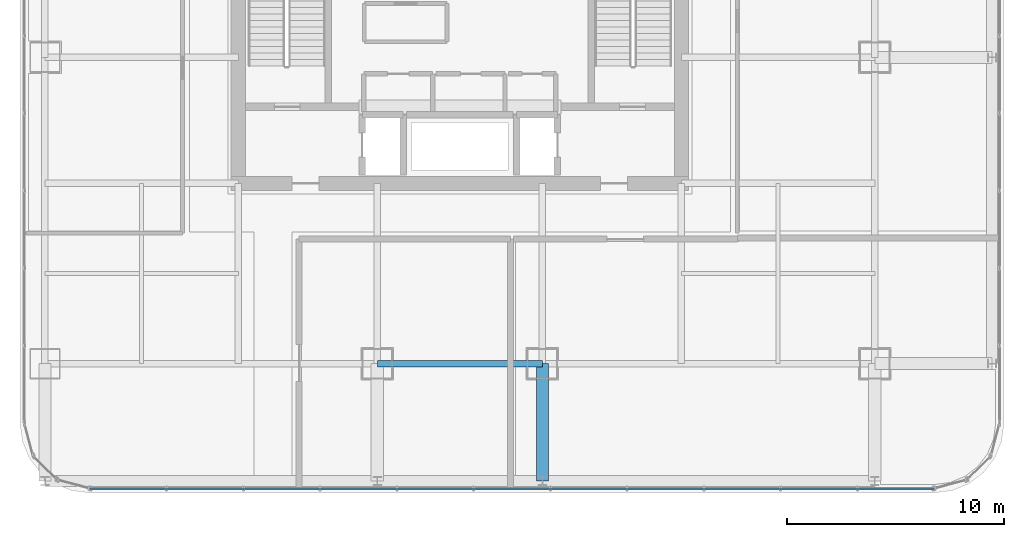
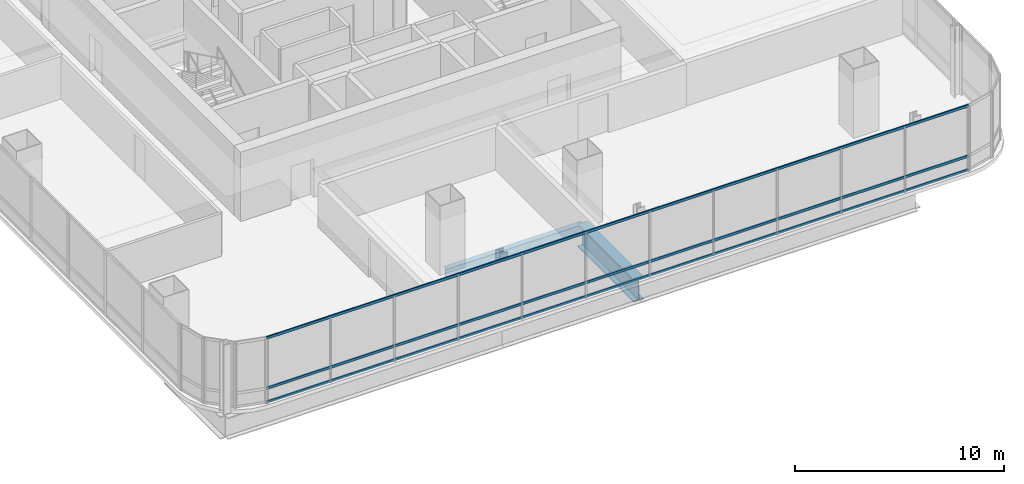
# One storey, part 6 of 35: 3 members, 2 beams, 1 element without a shape of its own.
"""IFC4 building model written with IfcOpenShell, lengths in metres."""

from ifc_helpers import new_model, si_unit, direction, frame, origin, origin_2d, place, context, subcontext, project, spatial, hollow_rectangle, i_section, extrude, material, material_profile, profile_set, type_object, element, aggregate, save


model = new_model("IFC4")

# Units and contexts
model_context = context("Model", 3, precision=1e-05, world=origin(), true_north=direction((0.0, 1.0)))
body_context = subcontext(model_context, "Body", "Model", "MODEL_VIEW")
ifc_project = project(units=[si_unit("LENGTHUNIT", "METRE"), si_unit("AREAUNIT", "SQUARE_METRE"), si_unit("VOLUMEUNIT", "CUBIC_METRE"), si_unit("PLANEANGLEUNIT", "RADIAN"), si_unit("MASSUNIT", "GRAM", prefix="KILO")], contexts=[model_context])

# Site, building, storey
site_placement = place(None, origin())
site = spatial("IfcSite", under=ifc_project, at=site_placement, CompositionType="ELEMENT")
building_placement = place(site_placement, origin())
building = spatial("IfcBuilding", under=site, at=building_placement, Name="Punatoya Terracotta Tower", CompositionType="ELEMENT")
storey_placement = place(building_placement, frame((0.0, 0.0, 216.75)))
storey = spatial("IfcBuildingStorey", under=building, at=storey_placement, Name="L51", CompositionType="ELEMENT", Elevation=216.75)

# Beams
ifc_material_1 = material(Name="Steel S355", Category="steel")
ifc_material_profile_1 = material_profile(ifc_material_1, i_section(OverallWidth=0.300048828125, OverallDepth=0.64990234375, WebThickness=0.01611328125, FlangeThickness=0.031005859375, FilletRadius=0.01806640625, at=origin_2d()))
ifc_profile_set_1 = profile_set([ifc_material_profile_1], Name="Steel S355")
beam_type_1 = type_object("IfcBeamType", Name="BM-PRI-650", PredefinedType="BEAM", material=ifc_profile_set_1)
beam_1_placement = place(storey_placement, frame((-3.800048828125, -17.5, -0.544921875), z_axis=(1.0, 0.0, 0.0), x_axis=(0.0, 1.0, 0.0)))
element("IfcBeam", 1, at=beam_1_placement, inside=storey, type_object=beam_type_1, Name="BM-L51-RG-S2", PredefinedType="BEAM", context=body_context, shape_type="SweptSolid", body=[
    extrude(i_section(OverallWidth=0.300048828125, OverallDepth=0.64990234375, WebThickness=0.01611328125, FlangeThickness=0.031005859375, FilletRadius=0.01806640625, at=origin_2d()), origin(), (0.0, 0.0, 1.0), 7.60009765625),
])
ifc_material_2 = material(Name="Steel S460", Category="steel")
ifc_material_profile_2 = material_profile(ifc_material_2, i_section(OverallWidth=0.56005859375, OverallDepth=1.320068359375, WebThickness=0.035888671875, FlangeThickness=0.054931640625, FilletRadius=0.01806640625, at=origin_2d()))
ifc_profile_set_2 = profile_set([ifc_material_profile_2], Name="Steel S460")
beam_type_2 = type_object("IfcBeamType", Name="BM-TG-BLK", PredefinedType="BEAM", material=ifc_profile_set_2)
beam_2_placement = place(storey_placement, frame((3.800048828125, -22.89990234375, -0.8798828125), z_axis=(0.0, 1.0, 0.0), x_axis=(-1.0, 0.0, 0.0)))
element("IfcBeam", 2, at=beam_2_placement, inside=storey, type_object=beam_type_2, Name="BM-L51-CANT-S3", PredefinedType="BEAM", context=body_context, shape_type="SweptSolid", body=[
    extrude(i_section(OverallWidth=0.56005859375, OverallDepth=1.320068359375, WebThickness=0.035888671875, FlangeThickness=0.054931640625, FilletRadius=0.01806640625, at=origin_2d()), origin(), (0.0, 0.0, 1.0), 5.39990234375),
])

# Curtain wall, members
ifc_material_3 = material(Name="Aluminium 6063-T6 + Double Low-E Glass", Category="aluminium")
curtain_wall_type = type_object("IfcCurtainWallType", Name="CW-M2", PredefinedType="NOTDEFINED", material=ifc_material_3)
curtain_wall_placement = place(storey_placement, origin())
curtain_wall = element("IfcCurtainWall", 3, at=curtain_wall_placement, inside=storey, type_object=curtain_wall_type, Name="L51 Curtain Wall CW-L51-S01-1", PredefinedType="NOTDEFINED")
ifc_material_4 = material(Name="Aluminium 6063-T6", Category="aluminium")
ifc_material_profile_3 = material_profile(ifc_material_4, hollow_rectangle(XDim=0.068115234375, YDim=0.14990234375, WallThickness=0.00390625, at=origin_2d()))
ifc_profile_set_3 = profile_set([ifc_material_profile_3], Name="Aluminium 6063-T6")
member_type = type_object("IfcMemberType", Name="CW-TRN-TYP", PredefinedType="USERDEFINED", material=ifc_profile_set_3)
member_1_placement = place(storey_placement, frame((-17.036865234375, -23.25, 0.0400390625), z_axis=(1.0, 0.0, 0.0), x_axis=(0.0, 1.0, 0.0)))
member_1 = element("IfcMember", 4, at=member_1_placement, type_object=member_type, Name="CW-L51-S01-1 Transom 1", ObjectType="TRANSOM", PredefinedType="USERDEFINED", context=body_context, shape_type="SweptSolid", body=[
    extrude(hollow_rectangle(XDim=0.068115234375, YDim=0.14990234375, WallThickness=0.00390625, at=origin_2d()), origin(), (0.0, 0.0, 1.0), 38.873779296875),
])
member_2_placement = place(storey_placement, frame((-17.036865234375, -23.25, 0.85009765625), z_axis=(1.0, 0.0, 0.0), x_axis=(0.0, 1.0, 0.0)))
member_2 = element("IfcMember", 5, at=member_2_placement, type_object=member_type, Name="CW-L51-S01-1 Transom 2", ObjectType="TRANSOM", PredefinedType="USERDEFINED", context=body_context, shape_type="SweptSolid", body=[
    extrude(hollow_rectangle(XDim=0.068115234375, YDim=0.14990234375, WallThickness=0.00390625, at=origin_2d()), origin(), (0.0, 0.0, 1.0), 38.873779296875),
])
member_3_placement = place(storey_placement, frame((-17.036865234375, -23.25, 3.7900390625), z_axis=(1.0, 0.0, 0.0), x_axis=(0.0, 1.0, 0.0)))
member_3 = element("IfcMember", 6, at=member_3_placement, type_object=member_type, Name="CW-L51-S01-1 Transom 3", ObjectType="TRANSOM", PredefinedType="USERDEFINED", context=body_context, shape_type="SweptSolid", body=[
    extrude(hollow_rectangle(XDim=0.068115234375, YDim=0.14990234375, WallThickness=0.00390625, at=origin_2d()), origin(), (0.0, 0.0, 1.0), 38.873779296875),
])
aggregate(curtain_wall, [member_1, member_2, member_3])

save(model, "model.ifc")
